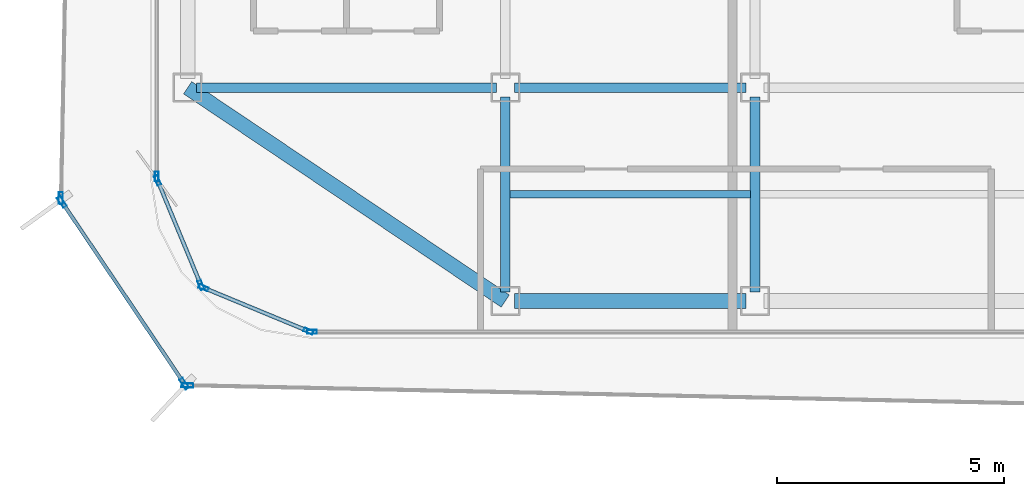
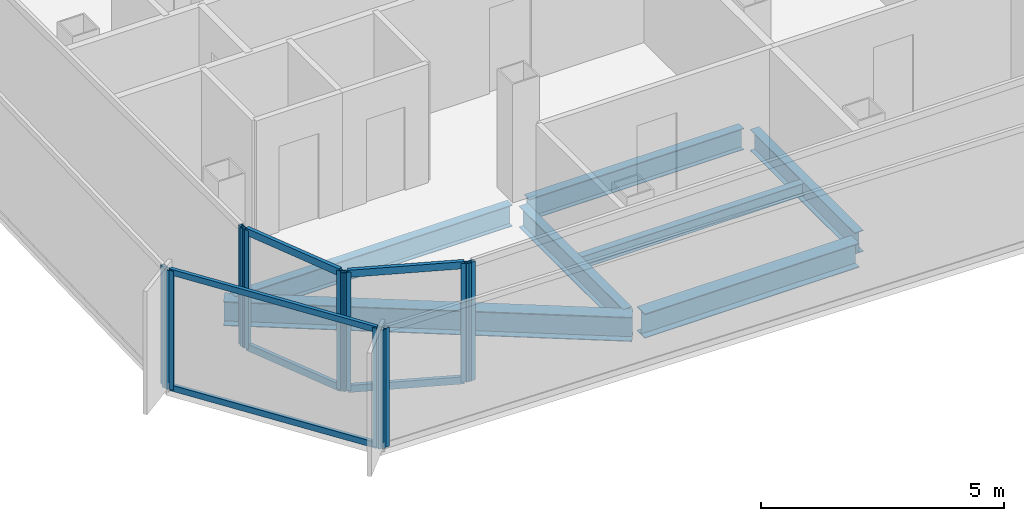
# One storey, part 2 of 15: 16 members, 7 beams, 7 elements without a shape of their own.
"""IFC4 building model written with IfcOpenShell, lengths in metres."""

from ifc_helpers import new_model, si_unit, direction, frame, origin, origin_2d, place, context, subcontext, project, spatial, hollow_rectangle, i_section, extrude, source, transform, mapped, material, layer, layer_set, material_profile, profile_set, type_object, element, aggregate, save


model = new_model("IFC4")

# Units and contexts
model_context = context("Model", 3, precision=1e-05, world=origin(), true_north=direction((0.0, 1.0)))
body_context = subcontext(model_context, "Body", "Model", "MODEL_VIEW")
ifc_project = project(units=[si_unit("LENGTHUNIT", "METRE"), si_unit("AREAUNIT", "SQUARE_METRE"), si_unit("VOLUMEUNIT", "CUBIC_METRE"), si_unit("PLANEANGLEUNIT", "RADIAN"), si_unit("MASSUNIT", "GRAM", prefix="KILO")], contexts=[model_context])

# Site, building, storey
site_placement = place(None, origin())
site = spatial("IfcSite", under=ifc_project, at=site_placement, CompositionType="ELEMENT")
building_placement = place(site_placement, origin())
building = spatial("IfcBuilding", under=site, at=building_placement, Name="Kolveth Station Tower", CompositionType="ELEMENT")
storey_placement = place(building_placement, frame((0.0, 0.0, 223.300048828125)))
storey = spatial("IfcBuildingStorey", under=building, at=storey_placement, Name="L63", CompositionType="ELEMENT", Elevation=223.300048828125)

# Beams
ifc_material_1 = material(Name="Steel S355", Category="steel")
ifc_material_profile_1 = material_profile(ifc_material_1, i_section(OverallWidth=0.323974609375, OverallDepth=0.611083984375, WebThickness=0.0126953125, FlangeThickness=0.01904296875, at=origin_2d()), Name="W610x155")
ifc_profile_set_1 = profile_set([ifc_material_profile_1], Name="Steel S355")
beam_type_1 = type_object("IfcBeamType", Name="Beam_SP2", PredefinedType="SPANDREL", material=ifc_profile_set_1)
shared_shape_1 = source(origin(), body_context, "Body", "SweptSolid", [
    extrude(i_section(OverallWidth=0.323974609375, OverallDepth=0.611083984375, WebThickness=0.0126953125, FlangeThickness=0.01904296875, at=origin_2d()), origin(), (0.0, 0.0, 1.0), 8.431396484375),
])
beam_1_placement = place(storey_placement, frame((6.0, 5.5, -0.525634765625), z_axis=(0.830223811004, -0.557430196206, 0.0), x_axis=(0.557430196206, 0.830223811004, 0.0)))
element("IfcBeam", 1, at=beam_1_placement, inside=storey, type_object=beam_type_1, Name="L63 Corner Edge Girder BM-L63-CNR-SW", PredefinedType="SPANDREL", context=body_context, shape_type="MappedRepresentation", body=[
    mapped(shared_shape_1, transform((0.0, 0.0, 0.0), x_axis=(1.0, 0.0, 0.0), y_axis=(0.0, 1.0, 0.0), z_axis=(0.0, 0.0, 1.0), scale=1.0)),
])
shared_shape_2 = source(origin(), body_context, "Body", "SweptSolid", [
    extrude(i_section(OverallWidth=0.323974609375, OverallDepth=0.611083984375, WebThickness=0.0126953125, FlangeThickness=0.01904296875, at=origin_2d()), origin(), (0.0, 0.0, 1.0), 5.10009765625),
])
beam_2_placement = place(storey_placement, frame((13.199951171875, 0.800048828125, -0.525634765625), z_axis=(1.0, 0.0, 0.0), x_axis=(0.0, 1.0, 0.0)))
element("IfcBeam", 2, at=beam_2_placement, inside=storey, type_object=beam_type_1, Name="L63 Perimeter Spandrel BM-L63-PS-1", PredefinedType="SPANDREL", context=body_context, shape_type="MappedRepresentation", body=[
    mapped(shared_shape_2, transform((0.0, 0.0, 0.0), x_axis=(1.0, 0.0, 0.0), y_axis=(0.0, 1.0, 0.0), z_axis=(0.0, 0.0, 1.0), scale=1.0)),
])
ifc_material_profile_2 = material_profile(ifc_material_1, i_section(OverallWidth=0.2099609375, OverallDepth=0.537109375, WebThickness=0.010986328125, FlangeThickness=0.017333984375, at=origin_2d()), Name="W530x101")
ifc_profile_set_2 = profile_set([ifc_material_profile_2], Name="Steel S355")
beam_type_2 = type_object("IfcBeamType", Name="Beam_B6", PredefinedType="BEAM", material=ifc_profile_set_2)
shared_shape_3 = source(origin(), body_context, "Body", "SweptSolid", [
    extrude(i_section(OverallWidth=0.2099609375, OverallDepth=0.537109375, WebThickness=0.010986328125, FlangeThickness=0.017333984375, at=origin_2d()), origin(), (0.0, 0.0, 1.0), 6.60009765625),
])
beam_3_placement = place(storey_placement, frame((6.199951171875, 5.5, -0.488525390625), z_axis=(1.0, 0.0, 0.0), x_axis=(0.0, 1.0, 0.0)))
element("IfcBeam", 3, at=beam_3_placement, inside=storey, type_object=beam_type_2, Name="L63 Primary Girder BM-L63-GY55-1", PredefinedType="BEAM", context=body_context, shape_type="MappedRepresentation", body=[
    mapped(shared_shape_3, transform((0.0, 0.0, 0.0), x_axis=(1.0, 0.0, 0.0), y_axis=(0.0, 1.0, 0.0), z_axis=(0.0, 0.0, 1.0), scale=1.0)),
])
shared_shape_4 = source(origin(), body_context, "Body", "SweptSolid", [
    extrude(i_section(OverallWidth=0.2099609375, OverallDepth=0.537109375, WebThickness=0.010986328125, FlangeThickness=0.017333984375, at=origin_2d()), origin(), (0.0, 0.0, 1.0), 5.10009765625),
])
beam_4_placement = place(storey_placement, frame((13.199951171875, 5.5, -0.488525390625), z_axis=(1.0, 0.0, 0.0), x_axis=(0.0, 1.0, 0.0)))
element("IfcBeam", 4, at=beam_4_placement, inside=storey, type_object=beam_type_2, Name="L63 Primary Girder BM-L63-GY55-2", PredefinedType="BEAM", context=body_context, shape_type="MappedRepresentation", body=[
    mapped(shared_shape_4, transform((0.0, 0.0, 0.0), x_axis=(1.0, 0.0, 0.0), y_axis=(0.0, 1.0, 0.0), z_axis=(0.0, 0.0, 1.0), scale=1.0)),
])
shared_shape_5 = source(origin(), body_context, "Body", "SweptSolid", [
    extrude(i_section(OverallWidth=0.2099609375, OverallDepth=0.537109375, WebThickness=0.010986328125, FlangeThickness=0.017333984375, at=origin_2d()), origin(), (0.0, 0.0, 1.0), 4.300048828125),
])
for number, where, z_axis, x_axis, name in (
    (5, (13.0, 1.0, -0.488525390625), (0.0, 1.0, 0.0), (-1.0, 0.0, 0.0), "L63 Primary Girder BM-L63-GX130-1"),
    (6, (18.5, 1.0, -0.488525390625), (0.0, 1.0, 0.0), (-1.0, 0.0, 0.0), "L63 Primary Girder BM-L63-GX185-1"),
):
    element("IfcBeam", number, at=place(storey_placement, frame(where, z_axis=z_axis, x_axis=x_axis)), inside=storey, type_object=beam_type_2, Name=name, PredefinedType="BEAM", context=body_context, shape_type="MappedRepresentation", body=[
        mapped(shared_shape_5, transform((0.0, 0.0, 0.0), x_axis=(1.0, 0.0, 0.0), y_axis=(0.0, 1.0, 0.0), z_axis=(0.0, 0.0, 1.0), scale=1.0)),
    ])
ifc_material_profile_3 = material_profile(ifc_material_1, i_section(OverallWidth=0.1650390625, OverallDepth=0.31005859375, WebThickness=0.005859375, FlangeThickness=0.009765625, at=origin_2d()), Name="W310x39")
ifc_profile_set_3 = profile_set([ifc_material_profile_3], Name="Steel S355")
beam_type_3 = type_object("IfcBeamType", Name="Beam_J3", PredefinedType="JOIST", material=ifc_profile_set_3)
shared_shape_6 = source(origin(), body_context, "Body", "SweptSolid", [
    extrude(i_section(OverallWidth=0.1650390625, OverallDepth=0.31005859375, WebThickness=0.005859375, FlangeThickness=0.009765625, at=origin_2d()), origin(), (0.0, 0.0, 1.0), 5.2939453125),
])
beam_5_placement = place(storey_placement, frame((13.10302734375, 3.14990234375, -0.375), z_axis=(1.0, 0.0, 0.0), x_axis=(0.0, 1.0, 0.0)))
element("IfcBeam", 7, at=beam_5_placement, inside=storey, type_object=beam_type_3, Name="L63 Secondary Joist JST-L63-2-1", PredefinedType="JOIST", context=body_context, shape_type="MappedRepresentation", body=[
    mapped(shared_shape_6, transform((0.0, 0.0, 0.0), x_axis=(1.0, 0.0, 0.0), y_axis=(0.0, 1.0, 0.0), z_axis=(0.0, 0.0, 1.0), scale=1.0)),
])

# Curtain wall, member
ifc_material_2 = material(Name="Black anodized aluminium 6063-T6 and dark solar glass", Category="aluminium")
ifc_layer_1 = layer(ifc_material_2, 0.159912109375)
ifc_layer_set_1 = layer_set([ifc_layer_1], Name="Black anodized aluminium 6063-T6 and dark solar glass")
curtain_wall_type_1 = type_object("IfcCurtainWallType", Name="OUTER SKIN CW-OS", PredefinedType="NOTDEFINED", material=ifc_layer_set_1)
curtain_wall_1_placement = place(storey_placement, origin())
curtain_wall_1 = element("IfcCurtainWall", 8, at=curtain_wall_1_placement, inside=storey, type_object=curtain_wall_type_1, Name="L63 Outer Ventilated Skin Curtain Wall 6", PredefinedType="NOTDEFINED")
ifc_material_3 = material(Name="Black anodized aluminium 6063-T6", Category="aluminium")
ifc_material_profile_4 = material_profile(ifc_material_3, hollow_rectangle(XDim=0.090087890625, YDim=0.260009765625, WallThickness=0.0048828125, at=origin_2d()), Name="ALU-90x260x5")
ifc_profile_set_4 = profile_set([ifc_material_profile_4], Name="Black anodized aluminium 6063-T6")
member_type_1 = type_object("IfcMemberType", Name="FIN MULLION ML-OS", PredefinedType="MULLION", material=ifc_profile_set_4)
shared_shape_7 = source(origin(), body_context, "Body", "SweptSolid", [
    extrude(hollow_rectangle(XDim=0.090087890625, YDim=0.260009765625, WallThickness=0.0048828125, at=origin_2d()), origin(), (0.0, 0.0, 1.0), 2.989990234375),
])
member_1_placement = place(storey_placement, frame((3.20556640625, 3.0673828125, 0.0), z_axis=(0.0, 0.0, 1.0), x_axis=(0.999812653598, -0.019356076698, 0.0)))
member_1 = element("IfcMember", 9, at=member_1_placement, type_object=member_type_1, Name="CW-OS mullion 2", PredefinedType="MULLION", context=body_context, shape_type="MappedRepresentation", body=[
    mapped(shared_shape_7, transform((0.0, 0.0, 0.0), x_axis=(1.0, 0.0, 0.0), y_axis=(0.0, 1.0, 0.0), z_axis=(0.0, 0.0, 1.0), scale=1.0)),
])
aggregate(curtain_wall_1, [member_1])

# Curtain wall, members
curtain_wall_2_placement = place(storey_placement, origin())
curtain_wall_2 = element("IfcCurtainWall", 10, at=curtain_wall_2_placement, inside=storey, type_object=curtain_wall_type_1, Name="L63 Outer Ventilated Skin Curtain Wall 7", PredefinedType="NOTDEFINED")
member_2_placement = place(storey_placement, frame((3.229736328125, 2.98486328125, 0.0), z_axis=(0.0, 0.0, 1.0), x_axis=(0.82966200621, 0.5582660257, 0.0)))
member_2 = element("IfcMember", 11, at=member_2_placement, type_object=member_type_1, Name="CW-OS mullion 1", PredefinedType="MULLION", context=body_context, shape_type="MappedRepresentation", body=[
    mapped(shared_shape_7, transform((0.0, 0.0, 0.0), x_axis=(1.0, 0.0, 0.0), y_axis=(0.0, 1.0, 0.0), z_axis=(0.0, 0.0, 1.0), scale=1.0)),
])
member_3_placement = place(storey_placement, frame((5.925048828125, -1.0205078125, 0.0), z_axis=(0.0, 0.0, 1.0), x_axis=(0.82966200621, 0.5582660257, 0.0)))
member_3 = element("IfcMember", 12, at=member_3_placement, type_object=member_type_1, Name="CW-OS mullion 2", PredefinedType="MULLION", context=body_context, shape_type="MappedRepresentation", body=[
    mapped(shared_shape_7, transform((0.0, 0.0, 0.0), x_axis=(1.0, 0.0, 0.0), y_axis=(0.0, 1.0, 0.0), z_axis=(0.0, 0.0, 1.0), scale=1.0)),
])

# Curtain wall, member
curtain_wall_3_placement = place(storey_placement, origin())
curtain_wall_3 = element("IfcCurtainWall", 13, at=curtain_wall_3_placement, inside=storey, type_object=curtain_wall_type_1, Name="L63 Outer Ventilated Skin Curtain Wall 8", PredefinedType="NOTDEFINED")
member_4_placement = place(storey_placement, frame((5.9951171875, -1.058837890625, 0.0), z_axis=(0.0, 0.0, 1.0), x_axis=(0.021513470864, 0.999768558503, 0.0)))
member_4 = element("IfcMember", 14, at=member_4_placement, type_object=member_type_1, Name="CW-OS mullion 1", PredefinedType="MULLION", context=body_context, shape_type="MappedRepresentation", body=[
    mapped(shared_shape_7, transform((0.0, 0.0, 0.0), x_axis=(1.0, 0.0, 0.0), y_axis=(0.0, 1.0, 0.0), z_axis=(0.0, 0.0, 1.0), scale=1.0)),
])
aggregate(curtain_wall_3, [member_4])

ifc_material_4 = material(Name="Aluminium 6063-T6 and triple low-E dark glass", Category="aluminium")
ifc_layer_2 = layer(ifc_material_4, 0.199951171875)
ifc_layer_set_2 = layer_set([ifc_layer_2], Name="Aluminium 6063-T6 and triple low-E dark glass")
curtain_wall_type_2 = type_object("IfcCurtainWallType", Name="CurtainWall_CW-Z3", PredefinedType="NOTDEFINED", material=ifc_layer_set_2)
curtain_wall_4_placement = place(storey_placement, origin())
curtain_wall_4 = element("IfcCurtainWall", 15, at=curtain_wall_4_placement, inside=storey, type_object=curtain_wall_type_2, Name="L63 Inner Thermal Curtain Wall 9", PredefinedType="NOTDEFINED")
ifc_material_profile_5 = material_profile(ifc_material_3, hollow_rectangle(XDim=0.0849609375, YDim=0.215087890625, WallThickness=0.0048828125, at=origin_2d()), Name="ALU-85x215x5")
ifc_profile_set_5 = profile_set([ifc_material_profile_5], Name="Black anodized aluminium 6063-T6")
member_type_2 = type_object("IfcMemberType", Name="Mullion_ML3", PredefinedType="MULLION", material=ifc_profile_set_5)
shared_shape_8 = source(origin(), body_context, "Body", "SweptSolid", [
    extrude(hollow_rectangle(XDim=0.0849609375, YDim=0.215087890625, WallThickness=0.0048828125, at=origin_2d()), origin(), (0.0, 0.0, 1.0), 2.97998046875),
])
member_5_placement = place(storey_placement, frame((5.320068359375, 3.54248046875, 0.0), z_axis=(0.0, 0.0, 1.0), x_axis=(1.0, 0.0, 0.0)))
member_5 = element("IfcMember", 16, at=member_5_placement, type_object=member_type_2, Name="CW-Z3 mullion 2", PredefinedType="MULLION", context=body_context, shape_type="MappedRepresentation", body=[
    mapped(shared_shape_8, transform((0.0, 0.0, 0.0), x_axis=(1.0, 0.0, 0.0), y_axis=(0.0, 1.0, 0.0), z_axis=(0.0, 0.0, 1.0), scale=1.0)),
])
aggregate(curtain_wall_4, [member_5])

# Curtain wall, members
curtain_wall_5_placement = place(storey_placement, origin())
curtain_wall_5 = element("IfcCurtainWall", 17, at=curtain_wall_5_placement, inside=storey, type_object=curtain_wall_type_2, Name="L63 Inner Thermal Curtain Wall 10", PredefinedType="NOTDEFINED")
member_6_placement = place(storey_placement, frame((5.336181640625, 3.460693359375, 0.0), z_axis=(0.0, 0.0, 1.0), x_axis=(0.923875488975, 0.382693194181, 0.0)))
member_6 = element("IfcMember", 18, at=member_6_placement, type_object=member_type_2, Name="CW-Z3 mullion 1", PredefinedType="MULLION", context=body_context, shape_type="MappedRepresentation", body=[
    mapped(shared_shape_8, transform((0.0, 0.0, 0.0), x_axis=(1.0, 0.0, 0.0), y_axis=(0.0, 1.0, 0.0), z_axis=(0.0, 0.0, 1.0), scale=1.0)),
])
member_7_placement = place(storey_placement, frame((6.293701171875, 1.149169921875, 0.0), z_axis=(0.0, 0.0, 1.0), x_axis=(0.923875488975, 0.382693194181, 0.0)))
member_7 = element("IfcMember", 19, at=member_7_placement, type_object=member_type_2, Name="CW-Z3 mullion 2", PredefinedType="MULLION", context=body_context, shape_type="MappedRepresentation", body=[
    mapped(shared_shape_8, transform((0.0, 0.0, 0.0), x_axis=(1.0, 0.0, 0.0), y_axis=(0.0, 1.0, 0.0), z_axis=(0.0, 0.0, 1.0), scale=1.0)),
])

curtain_wall_6_placement = place(storey_placement, origin())
curtain_wall_6 = element("IfcCurtainWall", 20, at=curtain_wall_6_placement, inside=storey, type_object=curtain_wall_type_2, Name="L63 Inner Thermal Curtain Wall 11", PredefinedType="NOTDEFINED")
member_8_placement = place(storey_placement, frame((6.349365234375, 1.09375, 0.0), z_axis=(0.0, 0.0, 1.0), x_axis=(0.382693194181, 0.923875488975, 0.0)))
member_8 = element("IfcMember", 21, at=member_8_placement, type_object=member_type_2, Name="CW-Z3 mullion 1", PredefinedType="MULLION", context=body_context, shape_type="MappedRepresentation", body=[
    mapped(shared_shape_8, transform((0.0, 0.0, 0.0), x_axis=(1.0, 0.0, 0.0), y_axis=(0.0, 1.0, 0.0), z_axis=(0.0, 0.0, 1.0), scale=1.0)),
])
member_9_placement = place(storey_placement, frame((8.66064453125, 0.13623046875, 0.0), z_axis=(0.0, 0.0, 1.0), x_axis=(0.382693194181, 0.923875488975, 0.0)))
member_9 = element("IfcMember", 22, at=member_9_placement, type_object=member_type_2, Name="CW-Z3 mullion 2", PredefinedType="MULLION", context=body_context, shape_type="MappedRepresentation", body=[
    mapped(shared_shape_8, transform((0.0, 0.0, 0.0), x_axis=(1.0, 0.0, 0.0), y_axis=(0.0, 1.0, 0.0), z_axis=(0.0, 0.0, 1.0), scale=1.0)),
])

# Curtain wall, member
curtain_wall_7_placement = place(storey_placement, origin())
curtain_wall_7 = element("IfcCurtainWall", 23, at=curtain_wall_7_placement, inside=storey, type_object=curtain_wall_type_2, Name="L63 Inner Thermal Curtain Wall 12", PredefinedType="NOTDEFINED")
member_10_placement = place(storey_placement, frame((8.742431640625, 0.1201171875, 0.0), z_axis=(0.0, 0.0, 1.0), x_axis=(0.0, 1.0, 0.0)))
member_10 = element("IfcMember", 24, at=member_10_placement, type_object=member_type_2, Name="CW-Z3 mullion 1", PredefinedType="MULLION", context=body_context, shape_type="MappedRepresentation", body=[
    mapped(shared_shape_8, transform((0.0, 0.0, 0.0), x_axis=(1.0, 0.0, 0.0), y_axis=(0.0, 1.0, 0.0), z_axis=(0.0, 0.0, 1.0), scale=1.0)),
])
aggregate(curtain_wall_7, [member_10])

# Member
ifc_material_profile_6 = material_profile(ifc_material_3, hollow_rectangle(XDim=0.0849609375, YDim=0.179931640625, WallThickness=0.0048828125, at=origin_2d()), Name="ALU-85x180x5")
ifc_profile_set_6 = profile_set([ifc_material_profile_6], Name="Black anodized aluminium 6063-T6")
member_type_3 = type_object("IfcMemberType", Name="Transom_TR3", PredefinedType="USERDEFINED", material=ifc_profile_set_6)
shared_shape_9 = source(origin(), body_context, "Body", "SweptSolid", [
    extrude(hollow_rectangle(XDim=0.0849609375, YDim=0.179931640625, WallThickness=0.0048828125, at=origin_2d()), origin(), (0.0, 0.0, 1.0), 2.4169921875),
])
member_11_placement = place(storey_placement, frame((5.3525390625, 3.42138671875, 0.04248046875), z_axis=(0.382735401206, -0.9238580046, 0.0), x_axis=(0.9238580046, 0.382735401206, 0.0)))
member_11 = element("IfcMember", 25, at=member_11_placement, type_object=member_type_3, Name="CW-Z3 transom 1.1", ObjectType="TRANSOM", PredefinedType="USERDEFINED", context=body_context, shape_type="MappedRepresentation", body=[
    mapped(shared_shape_9, transform((0.0, 0.0, 0.0), x_axis=(1.0, 0.0, 0.0), y_axis=(0.0, 1.0, 0.0), z_axis=(0.0, 0.0, 1.0), scale=1.0)),
])

member_12_placement = place(storey_placement, frame((5.3525390625, 3.42138671875, 2.9375), z_axis=(0.382735401206, -0.9238580046, 0.0), x_axis=(0.9238580046, 0.382735401206, 0.0)))
member_12 = element("IfcMember", 26, at=member_12_placement, type_object=member_type_3, Name="CW-Z3 transom 1.2", ObjectType="TRANSOM", PredefinedType="USERDEFINED", context=body_context, shape_type="MappedRepresentation", body=[
    mapped(shared_shape_9, transform((0.0, 0.0, 0.0), x_axis=(1.0, 0.0, 0.0), y_axis=(0.0, 1.0, 0.0), z_axis=(0.0, 0.0, 1.0), scale=1.0)),
])

aggregate(curtain_wall_5, [member_6, member_7, member_11, member_12])

member_13_placement = place(storey_placement, frame((6.388427734375, 1.077392578125, 0.04248046875), z_axis=(0.923908507952, -0.382613471971, 0.0), x_axis=(0.382613471971, 0.923908507952, 0.0)))
member_13 = element("IfcMember", 27, at=member_13_placement, type_object=member_type_3, Name="CW-Z3 transom 1.1", ObjectType="TRANSOM", PredefinedType="USERDEFINED", context=body_context, shape_type="MappedRepresentation", body=[
    mapped(shared_shape_9, transform((0.0, 0.0, 0.0), x_axis=(1.0, 0.0, 0.0), y_axis=(0.0, 1.0, 0.0), z_axis=(0.0, 0.0, 1.0), scale=1.0)),
])

member_14_placement = place(storey_placement, frame((6.388427734375, 1.077392578125, 2.9375), z_axis=(0.923908507952, -0.382613471971, 0.0), x_axis=(0.382613471971, 0.923908507952, 0.0)))
member_14 = element("IfcMember", 28, at=member_14_placement, type_object=member_type_3, Name="CW-Z3 transom 1.2", ObjectType="TRANSOM", PredefinedType="USERDEFINED", context=body_context, shape_type="MappedRepresentation", body=[
    mapped(shared_shape_9, transform((0.0, 0.0, 0.0), x_axis=(1.0, 0.0, 0.0), y_axis=(0.0, 1.0, 0.0), z_axis=(0.0, 0.0, 1.0), scale=1.0)),
])

aggregate(curtain_wall_6, [member_8, member_9, member_13, member_14])

ifc_material_profile_7 = material_profile(ifc_material_3, hollow_rectangle(XDim=0.080078125, YDim=0.14990234375, WallThickness=0.0048828125, at=origin_2d()), Name="ALU-80x150x5")
ifc_profile_set_7 = profile_set([ifc_material_profile_7], Name="Black anodized aluminium 6063-T6")
member_type_4 = type_object("IfcMemberType", Name="Transom_TR-OS", PredefinedType="USERDEFINED", material=ifc_profile_set_7)
shared_shape_10 = source(origin(), body_context, "Body", "SweptSolid", [
    extrude(hollow_rectangle(XDim=0.080078125, YDim=0.14990234375, WallThickness=0.0048828125, at=origin_2d()), origin(), (0.0, 0.0, 1.0), 4.73779296875),
])
member_15_placement = place(storey_placement, frame((3.2548828125, 2.947509765625, 0.0400390625), z_axis=(0.558286340243, -0.829648336525, 0.0), x_axis=(0.829648336525, 0.558286340243, 0.0)))
member_15 = element("IfcMember", 29, at=member_15_placement, type_object=member_type_4, Name="CW-OS transom 1.1", ObjectType="TRANSOM", PredefinedType="USERDEFINED", context=body_context, shape_type="MappedRepresentation", body=[
    mapped(shared_shape_10, transform((0.0, 0.0, 0.0), x_axis=(1.0, 0.0, 0.0), y_axis=(0.0, 1.0, 0.0), z_axis=(0.0, 0.0, 1.0), scale=1.0)),
])

member_16_placement = place(storey_placement, frame((3.2548828125, 2.947509765625, 2.949951171875), z_axis=(0.558286340243, -0.829648336525, 0.0), x_axis=(0.829648336525, 0.558286340243, 0.0)))
member_16 = element("IfcMember", 30, at=member_16_placement, type_object=member_type_4, Name="CW-OS transom 1.2", ObjectType="TRANSOM", PredefinedType="USERDEFINED", context=body_context, shape_type="MappedRepresentation", body=[
    mapped(shared_shape_10, transform((0.0, 0.0, 0.0), x_axis=(1.0, 0.0, 0.0), y_axis=(0.0, 1.0, 0.0), z_axis=(0.0, 0.0, 1.0), scale=1.0)),
])

aggregate(curtain_wall_2, [member_2, member_3, member_15, member_16])

save(model, "model.ifc")
